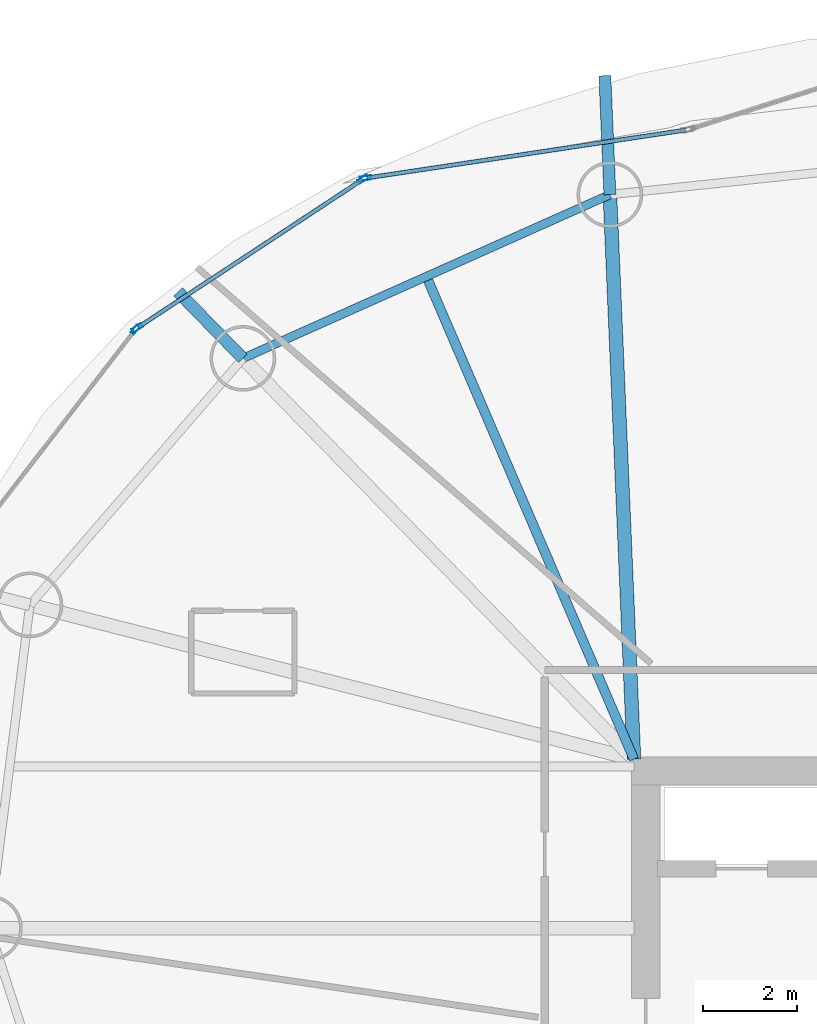
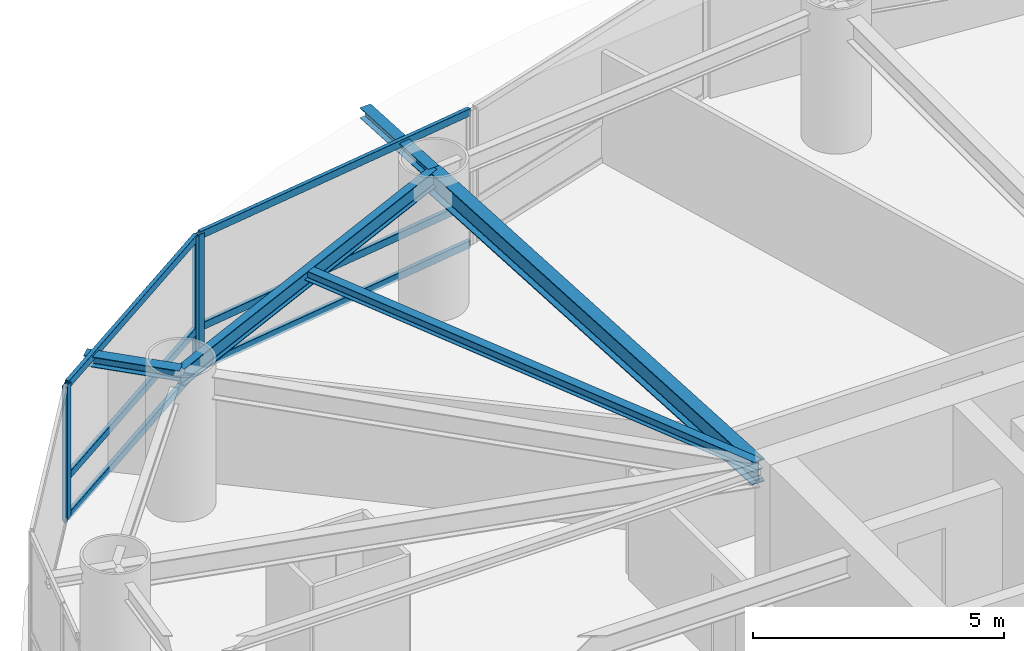
# One storey, part 12 of 22: 10 members, 5 beams, 3 elements without a shape of their own.
"""IFC4 building model written with IfcOpenShell, lengths in metres."""

from ifc_helpers import new_model, si_unit, direction, frame, origin, origin_2d, place, context, subcontext, project, spatial, hollow_rectangle, i_section, extrude, material, layer, layer_set, material_profile, profile_set, type_object, element, aggregate, save


model = new_model("IFC4")

# Units and contexts
model_context = context("Model", 3, precision=1e-05, world=origin(), true_north=direction((0.0, 1.0)))
body_context = subcontext(model_context, "Body", "Model", "MODEL_VIEW")
ifc_project = project(units=[si_unit("LENGTHUNIT", "METRE"), si_unit("AREAUNIT", "SQUARE_METRE"), si_unit("VOLUMEUNIT", "CUBIC_METRE"), si_unit("PLANEANGLEUNIT", "RADIAN"), si_unit("MASSUNIT", "GRAM", prefix="KILO")], contexts=[model_context])

# Site, building, storey
site_placement = place(None, origin())
site = spatial("IfcSite", under=ifc_project, at=site_placement, CompositionType="ELEMENT")
building_placement = place(site_placement, origin())
building = spatial("IfcBuilding", under=site, at=building_placement, Name="Bramvorn Convention Spire", CompositionType="ELEMENT")
storey_placement = place(building_placement, frame((0.0, 0.0, 137.800048828125)))
storey = spatial("IfcBuildingStorey", under=building, at=storey_placement, Name="L34", CompositionType="ELEMENT", Elevation=137.800048828125)

# Beams
ifc_material_1 = material(Name="Steel CSA G40.21 Grade 350 (350W)", Category="steel")
ifc_material_profile_1 = material_profile(ifc_material_1, i_section(OverallWidth=0.201904296875, OverallDepth=0.2470703125, WebThickness=0.00732421875, FlangeThickness=0.010986328125, FilletRadius=0.011962890625, at=origin_2d()))
ifc_profile_set_1 = profile_set([ifc_material_profile_1], Name="Steel CSA G40.21 Grade 350 (350W) - W250X49")
beam_type_1 = type_object("IfcBeamType", Name="BM-W250X49", PredefinedType="JOIST", material=ifc_profile_set_1)
beam_1_placement = place(storey_placement, frame((26.75, 33.449951171875, 3.136474609375), z_axis=(-0.394937739893, 0.918707886985, 0.0), x_axis=(-0.918707886985, -0.394937739893, 0.0)))
element("IfcBeam", 1, at=beam_1_placement, inside=storey, type_object=beam_type_1, Name="L34 composite floor joist 07", PredefinedType="JOIST", context=body_context, shape_type="SweptSolid", body=[
    extrude(i_section(OverallWidth=0.201904296875, OverallDepth=0.2470703125, WebThickness=0.00732421875, FlangeThickness=0.010986328125, FilletRadius=0.011962890625, at=origin_2d()), origin(), (0.0, 0.0, 1.0), 11.19384765625),
])
ifc_material_profile_2 = material_profile(ifc_material_1, i_section(OverallWidth=0.25390625, OverallDepth=0.2529296875, WebThickness=0.008544921875, FlangeThickness=0.01416015625, FilletRadius=0.011962890625, at=origin_2d()))
ifc_profile_set_2 = profile_set([ifc_material_profile_2], Name="Steel CSA G40.21 Grade 350 (350W) - W250X73")
beam_type_2 = type_object("IfcBeamType", Name="BM-W250X73", PredefinedType="BEAM", material=ifc_profile_set_2)
beam_2_placement = place(storey_placement, frame((26.23828125, 45.478759765625, 3.133544921875), z_axis=(-0.042539244785, 0.99909479663, 0.0), x_axis=(-0.99909479663, -0.042539244785, 0.0)))
element("IfcBeam", 2, at=beam_2_placement, inside=storey, type_object=beam_type_2, Name="L34 slab-edge cantilever tip beam MC07", PredefinedType="BEAM", context=body_context, shape_type="SweptSolid", body=[
    extrude(i_section(OverallWidth=0.25390625, OverallDepth=0.2529296875, WebThickness=0.008544921875, FlangeThickness=0.01416015625, FilletRadius=0.011962890625, at=origin_2d()), origin(), (0.0, 0.0, 1.0), 2.53662109375),
])
beam_3_placement = place(storey_placement, frame((18.420166015625, 41.9892578125, 3.133544921875), z_axis=(-0.698286824585, 0.715818070889, 0.0), x_axis=(-0.715818070889, -0.698286824585, 0.0)))
element("IfcBeam", 3, at=beam_3_placement, inside=storey, type_object=beam_type_2, Name="L34 slab-edge cantilever tip beam MC08", PredefinedType="BEAM", context=body_context, shape_type="SweptSolid", body=[
    extrude(i_section(OverallWidth=0.25390625, OverallDepth=0.2529296875, WebThickness=0.008544921875, FlangeThickness=0.01416015625, FilletRadius=0.011962890625, at=origin_2d()), origin(), (0.0, 0.0, 1.0), 1.9775390625),
])
ifc_material_profile_3 = material_profile(ifc_material_1, i_section(OverallWidth=0.180908203125, OverallDepth=0.4169921875, WebThickness=0.010986328125, FlangeThickness=0.018310546875, FilletRadius=0.01611328125, at=origin_2d()))
ifc_profile_set_3 = profile_set([ifc_material_profile_3], Name="Steel CSA G40.21 Grade 350 (350W) - W410X85")
beam_type_3 = type_object("IfcBeamType", Name="BM-W410X85", PredefinedType="JOIST", material=ifc_profile_set_3)
beam_4_placement = place(storey_placement, frame((26.23828125, 45.478759765625, 3.051513671875), z_axis=(-0.913169534701, -0.407579931908, 0.0), x_axis=(0.407579931908, -0.913169534701, 0.0)))
element("IfcBeam", 4, at=beam_4_placement, inside=storey, type_object=beam_type_3, Name="L34 mega-column ring beam 07", PredefinedType="JOIST", context=body_context, shape_type="SweptSolid", body=[
    extrude(i_section(OverallWidth=0.180908203125, OverallDepth=0.4169921875, WebThickness=0.010986328125, FlangeThickness=0.018310546875, FilletRadius=0.01611328125, at=origin_2d()), origin(), (0.0, 0.0, 1.0), 8.5615234375),
])
ifc_material_profile_4 = material_profile(ifc_material_1, i_section(OverallWidth=0.2919921875, OverallDepth=0.551025390625, WebThickness=0.01513671875, FlangeThickness=0.0244140625, FilletRadius=0.01904296875, at=origin_2d()))
ifc_profile_set_4 = profile_set([ifc_material_profile_4], Name="Steel CSA G40.21 Grade 350 (350W) - W530X182")
beam_type_4 = type_object("IfcBeamType", Name="BM-W530X182", PredefinedType="BEAM", material=ifc_profile_set_4)
beam_5_placement = place(storey_placement, frame((26.75, 33.449951171875, 2.984375), z_axis=(-0.042502657955, 0.999096353745, 0.0), x_axis=(-0.999096353745, -0.042502657955, 0.0)))
element("IfcBeam", 5, at=beam_5_placement, inside=storey, type_object=beam_type_4, Name="L34 radial floor girder MC07", PredefinedType="BEAM", context=body_context, shape_type="SweptSolid", body=[
    extrude(i_section(OverallWidth=0.2919921875, OverallDepth=0.551025390625, WebThickness=0.01513671875, FlangeThickness=0.0244140625, FilletRadius=0.01904296875, at=origin_2d()), origin(), (0.0, 0.0, 1.0), 12.039794921875),
])

# Curtain wall, member
ifc_material_2 = material(Name="Anodised Bronze Unitised Curtain Wall", Category="aluminium")
ifc_layer_1 = layer(ifc_material_2, 0.179931640625)
ifc_layer_set_1 = layer_set([ifc_layer_1], Name="Anodised Bronze Unitised Curtain Wall - CW-HTL-FRIT")
curtain_wall_type_1 = type_object("IfcCurtainWallType", Name="CW-HTL-FRIT", PredefinedType="USERDEFINED", material=ifc_layer_set_1)
curtain_wall_1_placement = place(storey_placement, origin())
curtain_wall_1 = element("IfcCurtainWall", 6, at=curtain_wall_1_placement, inside=storey, type_object=curtain_wall_type_1, Name="L34 fritted glass curtain wall 12", ObjectType="UNITISED CURTAIN WALL", PredefinedType="USERDEFINED")
ifc_material_3 = material(Name="Anodised Bronze Aluminium 6063-T6", Category="aluminium")
ifc_material_profile_5 = material_profile(ifc_material_3, hollow_rectangle(XDim=0.080078125, YDim=0.199951171875, WallThickness=0.00390625, InnerFilletRadius=0.0009765625, OuterFilletRadius=0.00390625, at=origin_2d()))
ifc_profile_set_5 = profile_set([ifc_material_profile_5], Name="Anodised Bronze Aluminium 6063-T6 - CWM80X200")
member_type_1 = type_object("IfcMemberType", Name="CW-MUL-180", PredefinedType="MULLION", material=ifc_profile_set_5)
member_1_placement = place(storey_placement, frame((16.1259765625, 42.599853515625, 0.0), z_axis=(0.0, 0.0, 1.0), x_axis=(-0.791450733488, 0.611232964148, 0.0)))
member_1 = element("IfcMember", 7, at=member_1_placement, type_object=member_type_1, Name="CW2 mullion 2", PredefinedType="MULLION", context=body_context, shape_type="SweptSolid", body=[
    extrude(hollow_rectangle(XDim=0.080078125, YDim=0.199951171875, WallThickness=0.00390625, InnerFilletRadius=0.0009765625, OuterFilletRadius=0.00390625, at=origin_2d()), origin(), (0.0, 0.0, 1.0), 3.260009765625),
])
aggregate(curtain_wall_1, [member_1])

ifc_layer_2 = layer(ifc_material_2, 0.219970703125)
ifc_layer_set_2 = layer_set([ifc_layer_2], Name="Anodised Bronze Unitised Curtain Wall - CW-SKYGARDEN")
curtain_wall_type_2 = type_object("IfcCurtainWallType", Name="CW-SKYGARDEN", PredefinedType="USERDEFINED", material=ifc_layer_set_2)
curtain_wall_2_placement = place(storey_placement, origin())
curtain_wall_2 = element("IfcCurtainWall", 8, at=curtain_wall_2_placement, inside=storey, type_object=curtain_wall_type_2, Name="L34 Sky Garden glazed facade 10", ObjectType="WINTER GARDEN GLAZING", PredefinedType="USERDEFINED")
ifc_material_profile_6 = material_profile(ifc_material_3, hollow_rectangle(XDim=0.090087890625, YDim=0.239990234375, WallThickness=0.00439453125, InnerFilletRadius=0.0009765625, OuterFilletRadius=0.00439453125, at=origin_2d()))
ifc_profile_set_6 = profile_set([ifc_material_profile_6], Name="Anodised Bronze Aluminium 6063-T6 - CWM90X240")
member_type_2 = type_object("IfcMemberType", Name="CW-MUL-220", PredefinedType="MULLION", material=ifc_profile_set_6)
member_2_placement = place(storey_placement, frame((21.037353515625, 45.82958984375, 0.0), z_axis=(0.0, 0.0, 1.0), x_axis=(-0.148639735126, 0.988891414232, 0.0)))
member_2 = element("IfcMember", 9, at=member_2_placement, type_object=member_type_2, Name="CW4 mullion 1", PredefinedType="MULLION", context=body_context, shape_type="SweptSolid", body=[
    extrude(hollow_rectangle(XDim=0.090087890625, YDim=0.239990234375, WallThickness=0.00439453125, InnerFilletRadius=0.0009765625, OuterFilletRadius=0.00439453125, at=origin_2d()), origin(), (0.0, 0.0, 1.0), 3.260009765625),
])

# Curtain wall, members
curtain_wall_3_placement = place(storey_placement, origin())
curtain_wall_3 = element("IfcCurtainWall", 10, at=curtain_wall_3_placement, inside=storey, type_object=curtain_wall_type_2, Name="L34 Sky Garden glazed facade 11", ObjectType="WINTER GARDEN GLAZING", PredefinedType="USERDEFINED")
member_3_placement = place(storey_placement, frame((16.16943359375, 42.639892578125, 0.0), z_axis=(0.0, 0.0, 1.0), x_axis=(-0.549859669864, 0.835257052324, 0.0)))
member_3 = element("IfcMember", 11, at=member_3_placement, type_object=member_type_2, Name="CW4 mullion 1", PredefinedType="MULLION", context=body_context, shape_type="SweptSolid", body=[
    extrude(hollow_rectangle(XDim=0.090087890625, YDim=0.239990234375, WallThickness=0.00439453125, InnerFilletRadius=0.0009765625, OuterFilletRadius=0.00439453125, at=origin_2d()), origin(), (0.0, 0.0, 1.0), 3.260009765625),
])
member_4_placement = place(storey_placement, frame((20.982666015625, 45.80859375, 0.0), z_axis=(0.0, 0.0, 1.0), x_axis=(-0.549859669864, 0.835257052324, 0.0)))
member_4 = element("IfcMember", 12, at=member_4_placement, type_object=member_type_2, Name="CW4 mullion 2", PredefinedType="MULLION", context=body_context, shape_type="SweptSolid", body=[
    extrude(hollow_rectangle(XDim=0.090087890625, YDim=0.239990234375, WallThickness=0.00439453125, InnerFilletRadius=0.0009765625, OuterFilletRadius=0.00439453125, at=origin_2d()), origin(), (0.0, 0.0, 1.0), 3.260009765625),
])

# Member
ifc_material_profile_7 = material_profile(ifc_material_3, hollow_rectangle(XDim=0.090087890625, YDim=0.179931640625, WallThickness=0.00439453125, InnerFilletRadius=0.0009765625, OuterFilletRadius=0.00439453125, at=origin_2d()))
ifc_profile_set_7 = profile_set([ifc_material_profile_7], Name="Anodised Bronze Aluminium 6063-T6 - CWT90X180")
member_type_3 = type_object("IfcMemberType", Name="CW-TRN-180", PredefinedType="USERDEFINED", material=ifc_profile_set_7)
member_5_placement = place(storey_placement, frame((21.067138671875, 45.834228515625, 0.030029296875), z_axis=(0.988894264601, 0.148620770549, 0.0), x_axis=(-0.148620770549, 0.988894264601, 0.0)))
member_5 = element("IfcMember", 13, at=member_5_placement, type_object=member_type_3, Name="CW4 transom 1.1", ObjectType="TRANSOM", PredefinedType="USERDEFINED", context=body_context, shape_type="SweptSolid", body=[
    extrude(hollow_rectangle(XDim=0.090087890625, YDim=0.179931640625, WallThickness=0.00439453125, InnerFilletRadius=0.0009765625, OuterFilletRadius=0.00439453125, at=origin_2d()), origin(), (0.0, 0.0, 1.0), 6.856689453125),
])

member_6_placement = place(storey_placement, frame((21.067138671875, 45.834228515625, 1.0), z_axis=(0.988894264601, 0.148620770549, 0.0), x_axis=(-0.148620770549, 0.988894264601, 0.0)))
member_6 = element("IfcMember", 14, at=member_6_placement, type_object=member_type_3, Name="CW4 transom 1.2", ObjectType="TRANSOM", PredefinedType="USERDEFINED", context=body_context, shape_type="SweptSolid", body=[
    extrude(hollow_rectangle(XDim=0.090087890625, YDim=0.179931640625, WallThickness=0.00439453125, InnerFilletRadius=0.0009765625, OuterFilletRadius=0.00439453125, at=origin_2d()), origin(), (0.0, 0.0, 1.0), 6.856689453125),
])

member_7_placement = place(storey_placement, frame((21.067138671875, 45.834228515625, 3.22998046875), z_axis=(0.988894264601, 0.148620770549, 0.0), x_axis=(-0.148620770549, 0.988894264601, 0.0)))
member_7 = element("IfcMember", 15, at=member_7_placement, type_object=member_type_3, Name="CW4 transom 1.3", ObjectType="TRANSOM", PredefinedType="USERDEFINED", context=body_context, shape_type="SweptSolid", body=[
    extrude(hollow_rectangle(XDim=0.090087890625, YDim=0.179931640625, WallThickness=0.00439453125, InnerFilletRadius=0.0009765625, OuterFilletRadius=0.00439453125, at=origin_2d()), origin(), (0.0, 0.0, 1.0), 6.856689453125),
])

aggregate(curtain_wall_2, [member_2, member_5, member_6, member_7])

member_8_placement = place(storey_placement, frame((16.1943359375, 42.656494140625, 0.030029296875), z_axis=(0.835263418238, 0.549849999685, 0.0), x_axis=(-0.549849999685, 0.835263418238, 0.0)))
member_8 = element("IfcMember", 16, at=member_8_placement, type_object=member_type_3, Name="CW4 transom 1.1", ObjectType="TRANSOM", PredefinedType="USERDEFINED", context=body_context, shape_type="SweptSolid", body=[
    extrude(hollow_rectangle(XDim=0.090087890625, YDim=0.179931640625, WallThickness=0.00439453125, InnerFilletRadius=0.0009765625, OuterFilletRadius=0.00439453125, at=origin_2d()), origin(), (0.0, 0.0, 1.0), 5.702880859375),
])

member_9_placement = place(storey_placement, frame((16.1943359375, 42.656494140625, 1.0), z_axis=(0.835263418238, 0.549849999685, 0.0), x_axis=(-0.549849999685, 0.835263418238, 0.0)))
member_9 = element("IfcMember", 17, at=member_9_placement, type_object=member_type_3, Name="CW4 transom 1.2", ObjectType="TRANSOM", PredefinedType="USERDEFINED", context=body_context, shape_type="SweptSolid", body=[
    extrude(hollow_rectangle(XDim=0.090087890625, YDim=0.179931640625, WallThickness=0.00439453125, InnerFilletRadius=0.0009765625, OuterFilletRadius=0.00439453125, at=origin_2d()), origin(), (0.0, 0.0, 1.0), 5.702880859375),
])

member_10_placement = place(storey_placement, frame((16.1943359375, 42.656494140625, 3.22998046875), z_axis=(0.835263418238, 0.549849999685, 0.0), x_axis=(-0.549849999685, 0.835263418238, 0.0)))
member_10 = element("IfcMember", 18, at=member_10_placement, type_object=member_type_3, Name="CW4 transom 1.3", ObjectType="TRANSOM", PredefinedType="USERDEFINED", context=body_context, shape_type="SweptSolid", body=[
    extrude(hollow_rectangle(XDim=0.090087890625, YDim=0.179931640625, WallThickness=0.00439453125, InnerFilletRadius=0.0009765625, OuterFilletRadius=0.00439453125, at=origin_2d()), origin(), (0.0, 0.0, 1.0), 5.702880859375),
])

aggregate(curtain_wall_3, [member_3, member_4, member_8, member_9, member_10])

save(model, "model.ifc")
